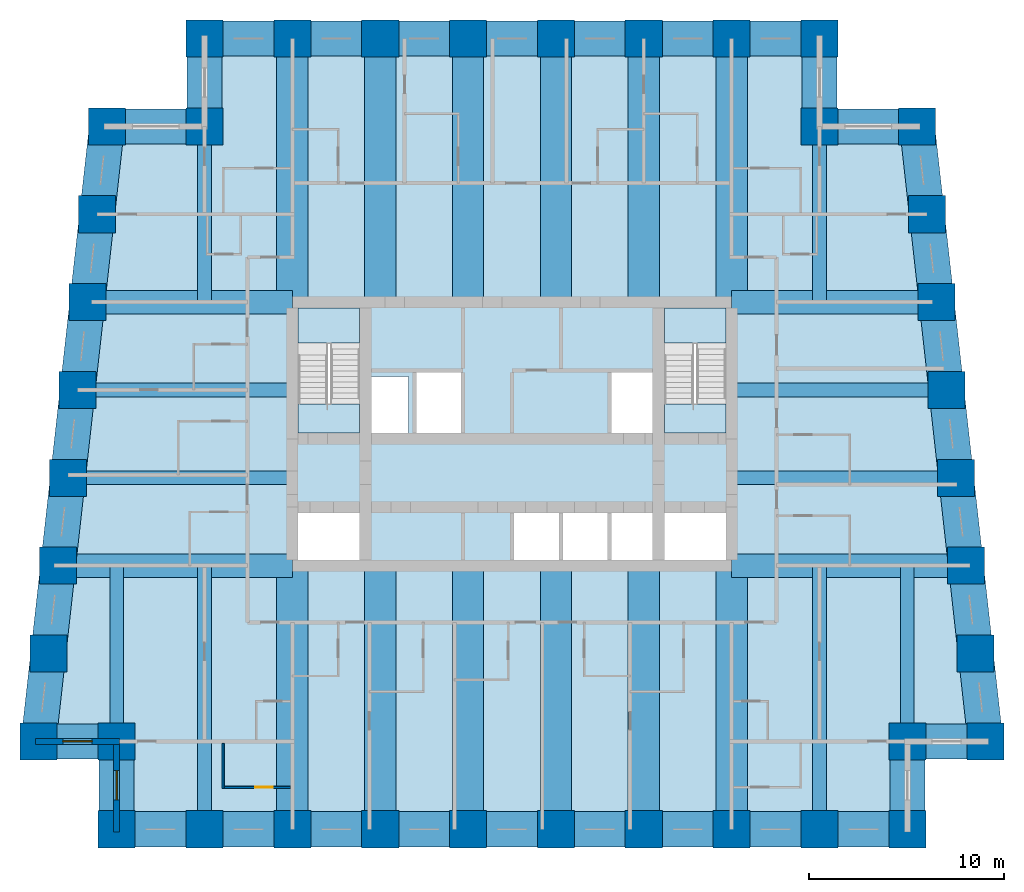
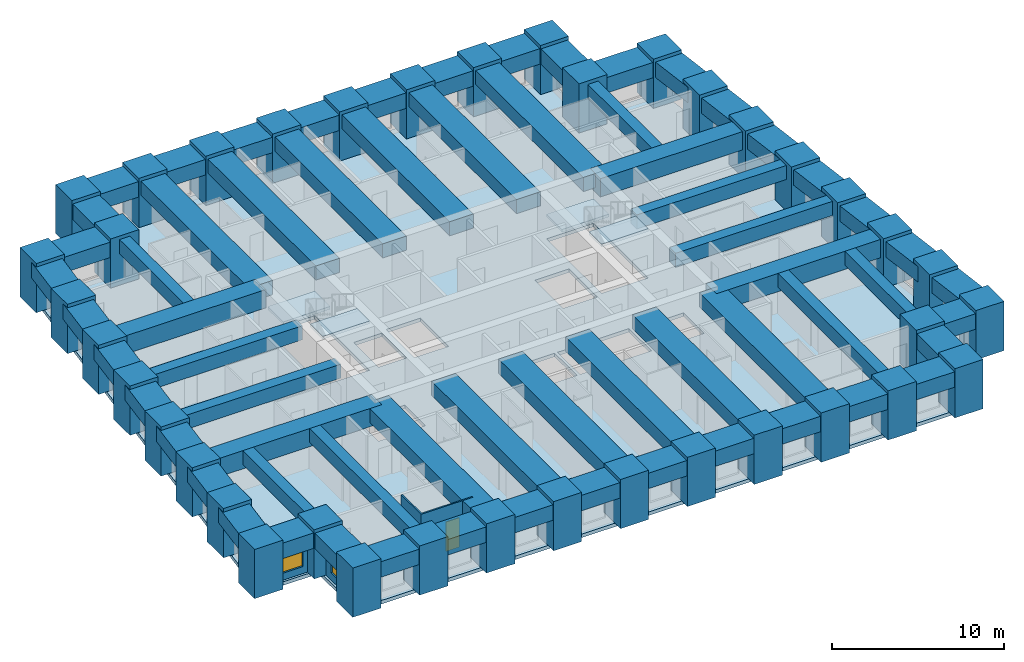
# One storey, part 1 of 8: 64 beams, 38 columns, 5 slabs, 4 walls, 2 windows, 1 door, 3 openings, 2 elements without a shape of their own.
"""IFC4 building model written with IfcOpenShell, lengths in metres."""

from ifc_helpers import new_model, si_unit, direction, frame, frame_2d, origin, origin_2d, place, context, subcontext, project, spatial, polyline, rectangle, outline, extrude, material, layer, layer_set, material_profile, profile_set, type_object, element, fill, aggregate, save


model = new_model("IFC4")

# Units and contexts
model_context = context("Model", 3, precision=1e-05, world=origin(), true_north=direction((0.0, 1.0)))
body_context = subcontext(model_context, "Body", "Model", "MODEL_VIEW")
ifc_project = project(units=[si_unit("LENGTHUNIT", "METRE"), si_unit("AREAUNIT", "SQUARE_METRE"), si_unit("VOLUMEUNIT", "CUBIC_METRE"), si_unit("PLANEANGLEUNIT", "RADIAN"), si_unit("MASSUNIT", "GRAM", prefix="KILO")], contexts=[model_context])

# Site, building, storey
site_placement = place(None, origin())
site = spatial("IfcSite", under=ifc_project, at=site_placement, CompositionType="ELEMENT")
building_placement = place(site_placement, origin())
building = spatial("IfcBuilding", under=site, at=building_placement, Name="Kilele Tower Hotel", CompositionType="ELEMENT")
storey_placement = place(building_placement, frame((0.0, 0.0, 117.89990234375)))
storey = spatial("IfcBuildingStorey", under=building, at=storey_placement, Name="L30", CompositionType="ELEMENT", Elevation=117.89990234375)

# Columns
ifc_material_1 = material(Name="Concrete C70/85", Category="concrete")
ifc_material_profile_1 = material_profile(ifc_material_1, rectangle(XDim=1.89990234375, YDim=1.89990234375, at=origin_2d()))
ifc_profile_set_1 = profile_set([ifc_material_profile_1], Name="Concrete C70/85")
column_type = type_object("IfcColumnType", Name="Tube column RC 1900x1900 C70/85", PredefinedType="COLUMN", material=ifc_profile_set_1)
for number, where, z_axis, x_axis, name in (
    (1, (0.5, 4.5, 0.0), (0.0, 0.0, 1.0), (1.0, 0.0, 0.0), "Column TC2 L30"),
    (2, (4.5, 4.5, 0.0), (0.0, 0.0, 1.0), (1.0, 0.0, 0.0), "Column TC2 L30"),
    (3, (4.5, 0.0, 0.0), (0.0, 0.0, 1.0), (1.0, 0.0, 0.0), "Column TC2 L30"),
    (4, (9.0, 0.0, 0.0), (0.0, 0.0, 1.0), (1.0, 0.0, 0.0), "Column TC2 L30"),
    (5, (13.5, 0.0, 0.0), (0.0, 0.0, 1.0), (1.0, 0.0, 0.0), "Column TC2 L30"),
    (6, (18.0, 0.0, 0.0), (0.0, 0.0, 1.0), (1.0, 0.0, 0.0), "Column TC2 L30"),
    (7, (22.5, 0.0, 0.0), (0.0, 0.0, 1.0), (1.0, 0.0, 0.0), "Column TC2 L30"),
    (8, (27.0, 0.0, 0.0), (0.0, 0.0, 1.0), (1.0, 0.0, 0.0), "Column TC2 L30"),
    (9, (31.5, 0.0, 0.0), (0.0, 0.0, 1.0), (1.0, 0.0, 0.0), "Column TC2 L30"),
    (10, (36.0, 0.0, 0.0), (0.0, 0.0, 1.0), (1.0, 0.0, 0.0), "Column TC2 L30"),
    (11, (40.5, 0.0, 0.0), (0.0, 0.0, 1.0), (1.0, 0.0, 0.0), "Column TC2 L30"),
    (12, (45.0, 0.0, 0.0), (0.0, 0.0, 1.0), (1.0, 0.0, 0.0), "Column TC2 L30"),
    (13, (45.0, 4.5, 0.0), (0.0, 0.0, 1.0), (1.0, 0.0, 0.0), "Column TC2 L30"),
    (14, (49.0, 4.5, 0.0), (0.0, 0.0, 1.0), (1.0, 0.0, 0.0), "Column TC2 L30"),
    (15, (48.5, 9.0, 0.0), (0.0, 0.0, 1.0), (1.0, 0.0, 0.0), "Column TC2 L30"),
    (16, (48.0, 13.5, 0.0), (0.0, 0.0, 1.0), (1.0, 0.0, 0.0), "Column TC2 L30"),
    (17, (47.5, 18.0, 0.0), (0.0, 0.0, 1.0), (1.0, 0.0, 0.0), "Column TC2 L30"),
    (18, (47.0, 22.5, 0.0), (0.0, 0.0, 1.0), (1.0, 0.0, 0.0), "Column TC2 L30"),
    (19, (46.5, 27.0, 0.0), (0.0, 0.0, 1.0), (1.0, 0.0, 0.0), "Column TC2 L30"),
    (20, (46.0, 31.5, 0.0), (0.0, 0.0, 1.0), (1.0, 0.0, 0.0), "Column TC2 L30"),
    (21, (45.5, 36.0, 0.0), (0.0, 0.0, 1.0), (1.0, 0.0, 0.0), "Column TC2 L30"),
    (22, (40.5, 36.0, 0.0), (0.0, 0.0, 1.0), (1.0, 0.0, 0.0), "Column TC2 L30"),
    (23, (40.5, 40.5, 0.0), (0.0, 0.0, 1.0), (1.0, 0.0, 0.0), "Column TC2 L30"),
    (24, (36.0, 40.5, 0.0), (0.0, 0.0, 1.0), (1.0, 0.0, 0.0), "Column TC2 L30"),
    (25, (31.5, 40.5, 0.0), (0.0, 0.0, 1.0), (1.0, 0.0, 0.0), "Column TC2 L30"),
    (26, (27.0, 40.5, 0.0), (0.0, 0.0, 1.0), (1.0, 0.0, 0.0), "Column TC2 L30"),
    (27, (22.5, 40.5, 0.0), (0.0, 0.0, 1.0), (1.0, 0.0, 0.0), "Column TC2 L30"),
    (28, (18.0, 40.5, 0.0), (0.0, 0.0, 1.0), (1.0, 0.0, 0.0), "Column TC2 L30"),
    (29, (13.5, 40.5, 0.0), (0.0, 0.0, 1.0), (1.0, 0.0, 0.0), "Column TC2 L30"),
    (30, (9.0, 40.5, 0.0), (0.0, 0.0, 1.0), (1.0, 0.0, 0.0), "Column TC2 L30"),
    (31, (9.0, 36.0, 0.0), (0.0, 0.0, 1.0), (1.0, 0.0, 0.0), "Column TC2 L30"),
    (32, (4.0, 36.0, 0.0), (0.0, 0.0, 1.0), (1.0, 0.0, 0.0), "Column TC2 L30"),
    (33, (3.5, 31.5, 0.0), (0.0, 0.0, 1.0), (1.0, 0.0, 0.0), "Column TC2 L30"),
    (34, (3.0, 27.0, 0.0), (0.0, 0.0, 1.0), (1.0, 0.0, 0.0), "Column TC2 L30"),
    (35, (2.5, 22.5, 0.0), (0.0, 0.0, 1.0), (1.0, 0.0, 0.0), "Column TC2 L30"),
    (36, (2.0, 18.0, 0.0), (0.0, 0.0, 1.0), (1.0, 0.0, 0.0), "Column TC2 L30"),
    (37, (1.5, 13.5, 0.0), (0.0, 0.0, 1.0), (1.0, 0.0, 0.0), "Column TC2 L30"),
    (38, (1.0, 9.0, 0.0), (0.0, 0.0, 1.0), (1.0, 0.0, 0.0), "Column TC2 L30"),
):
    element("IfcColumn", number, at=place(storey_placement, frame(where, z_axis=z_axis, x_axis=x_axis)), inside=storey, type_object=column_type, Name=name, PredefinedType="COLUMN", context=body_context, shape_type="SweptSolid", body=[
        extrude(rectangle(XDim=1.89990234375, YDim=1.89990234375, at=origin_2d()), origin(), (0.0, 0.0, 1.0), 3.5),
    ])

# Beams
ifc_material_2 = material(Name="Concrete C60/75", Category="concrete")
ifc_material_profile_2 = material_profile(ifc_material_2, rectangle(XDim=1.60009765625, YDim=1.0, at=origin_2d()))
ifc_profile_set_2 = profile_set([ifc_material_profile_2], Name="Concrete C60/75")
beam_type_1 = type_object("IfcBeamType", Name="Beam RC 1600x1000 C60/75", PredefinedType="BEAM", material=ifc_profile_set_2)
for number, where, z_axis, x_axis, name in (
    (39, (13.5, 0.0, 2.75), (0.0, 1.0, 0.0), (-1.0, 0.0, 0.0), "Beam BC1 level L31"),
    (40, (18.0, 0.0, 2.75), (0.0, 1.0, 0.0), (-1.0, 0.0, 0.0), "Beam BC1 level L31"),
    (41, (22.5, 0.0, 2.75), (0.0, 1.0, 0.0), (-1.0, 0.0, 0.0), "Beam BC1 level L31"),
    (42, (27.0, 0.0, 2.75), (0.0, 1.0, 0.0), (-1.0, 0.0, 0.0), "Beam BC1 level L31"),
    (43, (31.5, 0.0, 2.75), (0.0, 1.0, 0.0), (-1.0, 0.0, 0.0), "Beam BC1 level L31"),
    (44, (36.0, 0.0, 2.75), (0.0, 1.0, 0.0), (-1.0, 0.0, 0.0), "Beam BC1 level L31"),
    (45, (36.0, 40.5, 2.75), (0.0, -1.0, 0.0), (1.0, 0.0, 0.0), "Beam BC1 level L31"),
    (46, (31.5, 40.5, 2.75), (0.0, -1.0, 0.0), (1.0, 0.0, 0.0), "Beam BC1 level L31"),
    (47, (27.0, 40.5, 2.75), (0.0, -1.0, 0.0), (1.0, 0.0, 0.0), "Beam BC1 level L31"),
    (48, (22.5, 40.5, 2.75), (0.0, -1.0, 0.0), (1.0, 0.0, 0.0), "Beam BC1 level L31"),
    (49, (18.0, 40.5, 2.75), (0.0, -1.0, 0.0), (1.0, 0.0, 0.0), "Beam BC1 level L31"),
    (50, (13.5, 40.5, 2.75), (0.0, -1.0, 0.0), (1.0, 0.0, 0.0), "Beam BC1 level L31"),
):
    element("IfcBeam", number, at=place(storey_placement, frame(where, z_axis=z_axis, x_axis=x_axis)), inside=storey, type_object=beam_type_1, Name=name, PredefinedType="BEAM", context=body_context, shape_type="SweptSolid", body=[
        extrude(rectangle(XDim=1.60009765625, YDim=1.0, at=origin_2d()), origin(), (0.0, 0.0, 1.0), 13.5),
    ])
ifc_material_3 = material(Name="Concrete C60/75", Category="concrete")
ifc_material_profile_3 = material_profile(ifc_material_3, rectangle(XDim=0.699951171875, YDim=1.0, at=origin_2d()))
ifc_profile_set_3 = profile_set([ifc_material_profile_3], Name="Concrete C60/75")
beam_type_2 = type_object("IfcBeamType", Name="Beam RC 700x1000 C60/75", PredefinedType="BEAM", material=ifc_profile_set_3)
for number, where, z_axis, x_axis, name in (
    (51, (9.0, 0.0, 2.75), (0.0, 1.0, 0.0), (-1.0, 0.0, 0.0), "Beam B4 level L31"),
    (52, (40.5, 0.0, 2.75), (0.0, 1.0, 0.0), (-1.0, 0.0, 0.0), "Beam B4 level L31"),
):
    element("IfcBeam", number, at=place(storey_placement, frame(where, z_axis=z_axis, x_axis=x_axis)), inside=storey, type_object=beam_type_2, Name=name, PredefinedType="BEAM", context=body_context, shape_type="SweptSolid", body=[
        extrude(rectangle(XDim=0.699951171875, YDim=1.0, at=origin_2d()), origin(), (0.0, 0.0, 1.0), 13.5),
    ])
ifc_material_4 = material(Name="Concrete C60/75", Category="concrete")
ifc_material_profile_4 = material_profile(ifc_material_4, rectangle(XDim=0.699951171875, YDim=1.0, at=origin_2d()))
ifc_profile_set_4 = profile_set([ifc_material_profile_4], Name="Concrete C60/75")
beam_type_3 = type_object("IfcBeamType", Name="Beam RC 700x1000 C60/75 mid span", PredefinedType="BEAM", material=ifc_profile_set_4)
for number, where, z_axis, x_axis, name in (
    (53, (4.5, 4.5, 2.75), (0.0, 1.0, 0.0), (-1.0, 0.0, 0.0), "Beam B5 level L31"),
    (54, (45.0, 4.5, 2.75), (0.0, 1.0, 0.0), (-1.0, 0.0, 0.0), "Beam B5 level L31"),
):
    element("IfcBeam", number, at=place(storey_placement, frame(where, z_axis=z_axis, x_axis=x_axis)), inside=storey, type_object=beam_type_3, Name=name, PredefinedType="BEAM", context=body_context, shape_type="SweptSolid", body=[
        extrude(rectangle(XDim=0.699951171875, YDim=1.0, at=origin_2d()), origin(), (0.0, 0.0, 1.0), 9.0),
    ])
beam_1_placement = place(storey_placement, frame((47.5, 18.0, 2.75), z_axis=(-1.0, 0.0, 0.0), x_axis=(0.0, -1.0, 0.0)))
element("IfcBeam", 55, at=beam_1_placement, inside=storey, type_object=beam_type_3, Name="Beam B5 level L31", PredefinedType="BEAM", context=body_context, shape_type="SweptSolid", body=[
    extrude(rectangle(XDim=0.699951171875, YDim=1.0, at=origin_2d()), origin(), (0.0, 0.0, 1.0), 11.5),
])
beam_2_placement = place(storey_placement, frame((47.0, 22.5, 2.75), z_axis=(-1.0, 0.0, 0.0), x_axis=(0.0, -1.0, 0.0)))
element("IfcBeam", 56, at=beam_2_placement, inside=storey, type_object=beam_type_3, Name="Beam B5 level L31", PredefinedType="BEAM", context=body_context, shape_type="SweptSolid", body=[
    extrude(rectangle(XDim=0.699951171875, YDim=1.0, at=origin_2d()), origin(), (0.0, 0.0, 1.0), 11.0),
])
for number, where, z_axis, x_axis, name in (
    (57, (40.5, 36.0, 2.75), (0.0, -1.0, 0.0), (1.0, 0.0, 0.0), "Beam B5 level L31"),
    (58, (9.0, 36.0, 2.75), (0.0, -1.0, 0.0), (1.0, 0.0, 0.0), "Beam B5 level L31"),
):
    element("IfcBeam", number, at=place(storey_placement, frame(where, z_axis=z_axis, x_axis=x_axis)), inside=storey, type_object=beam_type_3, Name=name, PredefinedType="BEAM", context=body_context, shape_type="SweptSolid", body=[
        extrude(rectangle(XDim=0.699951171875, YDim=1.0, at=origin_2d()), origin(), (0.0, 0.0, 1.0), 9.0),
    ])
beam_3_placement = place(storey_placement, frame((2.5, 22.5, 2.75), z_axis=(1.0, 0.0, 0.0), x_axis=(0.0, 1.0, 0.0)))
element("IfcBeam", 59, at=beam_3_placement, inside=storey, type_object=beam_type_3, Name="Beam B5 level L31", PredefinedType="BEAM", context=body_context, shape_type="SweptSolid", body=[
    extrude(rectangle(XDim=0.699951171875, YDim=1.0, at=origin_2d()), origin(), (0.0, 0.0, 1.0), 11.0),
])
beam_4_placement = place(storey_placement, frame((2.0, 18.0, 2.75), z_axis=(1.0, 0.0, 0.0), x_axis=(0.0, 1.0, 0.0)))
element("IfcBeam", 60, at=beam_4_placement, inside=storey, type_object=beam_type_3, Name="Beam B5 level L31", PredefinedType="BEAM", context=body_context, shape_type="SweptSolid", body=[
    extrude(rectangle(XDim=0.699951171875, YDim=1.0, at=origin_2d()), origin(), (0.0, 0.0, 1.0), 11.5),
])
ifc_material_5 = material(Name="Concrete C60/75", Category="concrete")
ifc_material_profile_5 = material_profile(ifc_material_5, rectangle(XDim=1.199951171875, YDim=1.300048828125, at=origin_2d()))
ifc_profile_set_5 = profile_set([ifc_material_profile_5], Name="Concrete C60/75")
beam_type_4 = type_object("IfcBeamType", Name="Girder RC 1200x1300 C60/75", PredefinedType="BEAM", material=ifc_profile_set_5)
for number, where, z_axis, x_axis, name in (
    (61, (48.0, 13.5, 2.60009765625), (-1.0, 0.0, 0.0), (0.0, -1.0, 0.0), "Girder G1 level L31"),
    (62, (1.5, 13.5, 2.60009765625), (1.0, 0.0, 0.0), (0.0, 1.0, 0.0), "Girder G1 level L31"),
):
    element("IfcBeam", number, at=place(storey_placement, frame(where, z_axis=z_axis, x_axis=x_axis)), inside=storey, type_object=beam_type_4, Name=name, PredefinedType="BEAM", context=body_context, shape_type="SweptSolid", body=[
        extrude(rectangle(XDim=1.199951171875, YDim=1.300048828125, at=origin_2d()), origin(), (0.0, 0.0, 1.0), 12.0),
    ])
ifc_material_6 = material(Name="Concrete C60/75", Category="concrete")
ifc_material_profile_6 = material_profile(ifc_material_6, rectangle(XDim=1.199951171875, YDim=1.300048828125, at=origin_2d()))
ifc_profile_set_6 = profile_set([ifc_material_profile_6], Name="Concrete C60/75")
beam_type_5 = type_object("IfcBeamType", Name="Girder RC 1200x1300 C60/75 mid span", PredefinedType="BEAM", material=ifc_profile_set_6)
for number, where, z_axis, x_axis, name in (
    (63, (46.5, 27.0, 2.60009765625), (-1.0, 0.0, 0.0), (0.0, -1.0, 0.0), "Girder G3 level L31"),
    (64, (3.0, 27.0, 2.60009765625), (1.0, 0.0, 0.0), (0.0, 1.0, 0.0), "Girder G3 level L31"),
):
    element("IfcBeam", number, at=place(storey_placement, frame(where, z_axis=z_axis, x_axis=x_axis)), inside=storey, type_object=beam_type_5, Name=name, PredefinedType="BEAM", context=body_context, shape_type="SweptSolid", body=[
        extrude(rectangle(XDim=1.199951171875, YDim=1.300048828125, at=origin_2d()), origin(), (0.0, 0.0, 1.0), 10.5),
    ])
ifc_material_7 = material(Name="Concrete C60/75", Category="concrete")
ifc_material_profile_7 = material_profile(ifc_material_7, rectangle(XDim=1.800048828125, YDim=1.10009765625, at=origin_2d()))
ifc_profile_set_7 = profile_set([ifc_material_profile_7], Name="Concrete C60/75")
beam_type_6 = type_object("IfcBeamType", Name="Spandrel RC 1800x1100 C60/75", PredefinedType="SPANDREL", material=ifc_profile_set_7)
beam_5_placement = place(storey_placement, frame((0.5, 4.5, 2.7001953125), z_axis=(1.0, 0.0, 0.0), x_axis=(0.0, 1.0, 0.0)))
element("IfcBeam", 65, at=beam_5_placement, inside=storey, type_object=beam_type_6, Name="Spandrel SP4 level L31", PredefinedType="SPANDREL", context=body_context, shape_type="SweptSolid", body=[
    extrude(rectangle(XDim=1.800048828125, YDim=1.10009765625, at=origin_2d()), origin(), (0.0, 0.0, 1.0), 4.0),
])
for number, where, z_axis, x_axis, name in (
    (66, (4.5, 4.5, 2.7001953125), (0.0, -1.0, 0.0), (1.0, 0.0, 0.0), "Spandrel SP4 level L31"),
    (67, (4.5, 0.0, 2.7001953125), (1.0, 0.0, 0.0), (0.0, 1.0, 0.0), "Spandrel SP4 level L31"),
    (68, (9.0, 0.0, 2.7001953125), (1.0, 0.0, 0.0), (0.0, 1.0, 0.0), "Spandrel SP4 level L31"),
    (69, (13.5, 0.0, 2.7001953125), (1.0, 0.0, 0.0), (0.0, 1.0, 0.0), "Spandrel SP4 level L31"),
    (70, (18.0, 0.0, 2.7001953125), (1.0, 0.0, 0.0), (0.0, 1.0, 0.0), "Spandrel SP4 level L31"),
    (71, (22.5, 0.0, 2.7001953125), (1.0, 0.0, 0.0), (0.0, 1.0, 0.0), "Spandrel SP4 level L31"),
    (72, (27.0, 0.0, 2.7001953125), (1.0, 0.0, 0.0), (0.0, 1.0, 0.0), "Spandrel SP4 level L31"),
    (73, (31.5, 0.0, 2.7001953125), (1.0, 0.0, 0.0), (0.0, 1.0, 0.0), "Spandrel SP4 level L31"),
    (74, (36.0, 0.0, 2.7001953125), (1.0, 0.0, 0.0), (0.0, 1.0, 0.0), "Spandrel SP4 level L31"),
    (75, (40.5, 0.0, 2.7001953125), (1.0, 0.0, 0.0), (0.0, 1.0, 0.0), "Spandrel SP4 level L31"),
    (76, (45.0, 0.0, 2.7001953125), (0.0, 1.0, 0.0), (-1.0, 0.0, 0.0), "Spandrel SP4 level L31"),
):
    element("IfcBeam", number, at=place(storey_placement, frame(where, z_axis=z_axis, x_axis=x_axis)), inside=storey, type_object=beam_type_6, Name=name, PredefinedType="SPANDREL", context=body_context, shape_type="SweptSolid", body=[
        extrude(rectangle(XDim=1.800048828125, YDim=1.10009765625, at=origin_2d()), origin(), (0.0, 0.0, 1.0), 4.5),
    ])
beam_6_placement = place(storey_placement, frame((45.0, 4.5, 2.7001953125), z_axis=(1.0, 0.0, 0.0), x_axis=(0.0, 1.0, 0.0)))
element("IfcBeam", 77, at=beam_6_placement, inside=storey, type_object=beam_type_6, Name="Spandrel SP4 level L31", PredefinedType="SPANDREL", context=body_context, shape_type="SweptSolid", body=[
    extrude(rectangle(XDim=1.800048828125, YDim=1.10009765625, at=origin_2d()), origin(), (0.0, 0.0, 1.0), 4.0),
])
for number, where, z_axis, x_axis, name in (
    (78, (49.0, 4.5, 2.7001953125), (-0.110431526075, 0.993883734674, 0.0), (-0.993883734674, -0.110431526075, 0.0), "Spandrel SP4 level L31"),
    (79, (48.5, 9.0, 2.7001953125), (-0.110431526075, 0.993883734674, 0.0), (-0.993883734674, -0.110431526075, 0.0), "Spandrel SP4 level L31"),
    (80, (48.0, 13.5, 2.7001953125), (-0.110431526075, 0.993883734674, 0.0), (-0.993883734674, -0.110431526075, 0.0), "Spandrel SP4 level L31"),
    (81, (47.5, 18.0, 2.7001953125), (-0.110431526075, 0.993883734674, 0.0), (-0.993883734674, -0.110431526075, 0.0), "Spandrel SP4 level L31"),
    (82, (47.0, 22.5, 2.7001953125), (-0.110431526075, 0.993883734674, 0.0), (-0.993883734674, -0.110431526075, 0.0), "Spandrel SP4 level L31"),
    (83, (46.5, 27.0, 2.7001953125), (-0.110431526075, 0.993883734674, 0.0), (-0.993883734674, -0.110431526075, 0.0), "Spandrel SP4 level L31"),
    (84, (46.0, 31.5, 2.7001953125), (-0.110431526075, 0.993883734674, 0.0), (-0.993883734674, -0.110431526075, 0.0), "Spandrel SP4 level L31"),
):
    element("IfcBeam", number, at=place(storey_placement, frame(where, z_axis=z_axis, x_axis=x_axis)), inside=storey, type_object=beam_type_6, Name=name, PredefinedType="SPANDREL", context=body_context, shape_type="SweptSolid", body=[
        extrude(rectangle(XDim=1.800048828125, YDim=1.10009765625, at=origin_2d()), origin(), (0.0, 0.0, 1.0), 4.527587890625),
    ])
beam_7_placement = place(storey_placement, frame((45.5, 36.0, 2.7001953125), z_axis=(-1.0, 0.0, 0.0), x_axis=(0.0, -1.0, 0.0)))
element("IfcBeam", 85, at=beam_7_placement, inside=storey, type_object=beam_type_6, Name="Spandrel SP4 level L31", PredefinedType="SPANDREL", context=body_context, shape_type="SweptSolid", body=[
    extrude(rectangle(XDim=1.800048828125, YDim=1.10009765625, at=origin_2d()), origin(), (0.0, 0.0, 1.0), 5.0),
])
for number, where, z_axis, x_axis, name in (
    (86, (40.5, 36.0, 2.7001953125), (0.0, 1.0, 0.0), (-1.0, 0.0, 0.0), "Spandrel SP4 level L31"),
    (87, (40.5, 40.5, 2.7001953125), (-1.0, 0.0, 0.0), (0.0, -1.0, 0.0), "Spandrel SP4 level L31"),
    (88, (36.0, 40.5, 2.7001953125), (-1.0, 0.0, 0.0), (0.0, -1.0, 0.0), "Spandrel SP4 level L31"),
    (89, (31.5, 40.5, 2.7001953125), (-1.0, 0.0, 0.0), (0.0, -1.0, 0.0), "Spandrel SP4 level L31"),
    (90, (27.0, 40.5, 2.7001953125), (-1.0, 0.0, 0.0), (0.0, -1.0, 0.0), "Spandrel SP4 level L31"),
    (91, (22.5, 40.5, 2.7001953125), (-1.0, 0.0, 0.0), (0.0, -1.0, 0.0), "Spandrel SP4 level L31"),
    (92, (18.0, 40.5, 2.7001953125), (-1.0, 0.0, 0.0), (0.0, -1.0, 0.0), "Spandrel SP4 level L31"),
    (93, (13.5, 40.5, 2.7001953125), (-1.0, 0.0, 0.0), (0.0, -1.0, 0.0), "Spandrel SP4 level L31"),
    (94, (9.0, 40.5, 2.7001953125), (0.0, -1.0, 0.0), (1.0, 0.0, 0.0), "Spandrel SP4 level L31"),
):
    element("IfcBeam", number, at=place(storey_placement, frame(where, z_axis=z_axis, x_axis=x_axis)), inside=storey, type_object=beam_type_6, Name=name, PredefinedType="SPANDREL", context=body_context, shape_type="SweptSolid", body=[
        extrude(rectangle(XDim=1.800048828125, YDim=1.10009765625, at=origin_2d()), origin(), (0.0, 0.0, 1.0), 4.5),
    ])
beam_8_placement = place(storey_placement, frame((9.0, 36.0, 2.7001953125), z_axis=(-1.0, 0.0, 0.0), x_axis=(0.0, -1.0, 0.0)))
element("IfcBeam", 95, at=beam_8_placement, inside=storey, type_object=beam_type_6, Name="Spandrel SP4 level L31", PredefinedType="SPANDREL", context=body_context, shape_type="SweptSolid", body=[
    extrude(rectangle(XDim=1.800048828125, YDim=1.10009765625, at=origin_2d()), origin(), (0.0, 0.0, 1.0), 5.0),
])
for number, where, z_axis, x_axis, name in (
    (96, (4.0, 36.0, 2.7001953125), (-0.110431526075, -0.993883734674, 0.0), (0.993883734674, -0.110431526075, 0.0), "Spandrel SP4 level L31"),
    (97, (3.5, 31.5, 2.7001953125), (-0.110431526075, -0.993883734674, 0.0), (0.993883734674, -0.110431526075, 0.0), "Spandrel SP4 level L31"),
    (98, (3.0, 27.0, 2.7001953125), (-0.110431526075, -0.993883734674, 0.0), (0.993883734674, -0.110431526075, 0.0), "Spandrel SP4 level L31"),
    (99, (2.5, 22.5, 2.7001953125), (-0.110431526075, -0.993883734674, 0.0), (0.993883734674, -0.110431526075, 0.0), "Spandrel SP4 level L31"),
    (100, (2.0, 18.0, 2.7001953125), (-0.110431526075, -0.993883734674, 0.0), (0.993883734674, -0.110431526075, 0.0), "Spandrel SP4 level L31"),
    (101, (1.5, 13.5, 2.7001953125), (-0.110431526075, -0.993883734674, 0.0), (0.993883734674, -0.110431526075, 0.0), "Spandrel SP4 level L31"),
    (102, (1.0, 9.0, 2.7001953125), (-0.110431526075, -0.993883734674, 0.0), (0.993883734674, -0.110431526075, 0.0), "Spandrel SP4 level L31"),
):
    element("IfcBeam", number, at=place(storey_placement, frame(where, z_axis=z_axis, x_axis=x_axis)), inside=storey, type_object=beam_type_6, Name=name, PredefinedType="SPANDREL", context=body_context, shape_type="SweptSolid", body=[
        extrude(rectangle(XDim=1.800048828125, YDim=1.10009765625, at=origin_2d()), origin(), (0.0, 0.0, 1.0), 4.527587890625),
    ])

# Slab
ifc_material_8 = material(Name="Concrete C60/75", Category="concrete")
ifc_layer_1 = layer(ifc_material_8, 0.25)
ifc_layer_set_1 = layer_set([ifc_layer_1], Name="Concrete C60/75")
slab_type_1 = type_object("IfcSlabType", Name="Floor slab 250", PredefinedType="FLOOR", material=ifc_layer_set_1)
slab_1_placement = place(storey_placement, frame((0.0, 0.0, -0.25)))
element("IfcSlab", 103, at=slab_1_placement, inside=storey, type_object=slab_type_1, Name="Floor slab L30", PredefinedType="FLOOR", context=body_context, shape_type="SweptSolid", body=[
    extrude(outline(polyline([(8.699951171875, 36.300048828125), (8.699951171875, 40.800048828125), (40.800048828125, 40.800048828125), (40.800048828125, 36.300048828125), (45.7685546875, 36.300048828125), (49.335205078125, 4.199951171875), (45.300048828125, 4.199951171875), (45.300048828125, -0.300048828125), (4.199951171875, -0.300048828125), (4.199951171875, 4.199951171875), (0.164794921875, 4.199951171875), (3.7314453125, 36.300048828125), (8.699951171875, 36.300048828125)]), holes=[polyline([(16.949951171875, 16.199951171875), (13.800048828125, 16.199951171875), (13.800048828125, 13.800048828125), (16.949951171875, 13.800048828125), (16.949951171875, 16.199951171875)]), polyline([(35.699951171875, 16.199951171875), (32.550048828125, 16.199951171875), (32.550048828125, 13.800048828125), (35.699951171875, 13.800048828125), (35.699951171875, 16.199951171875)]), polyline([(27.14990234375, 16.39990234375), (24.85009765625, 16.39990234375), (24.85009765625, 13.800048828125), (27.14990234375, 13.800048828125), (27.14990234375, 16.39990234375)]), polyline([(29.64990234375, 13.800048828125), (29.64990234375, 16.39990234375), (27.35009765625, 16.39990234375), (27.35009765625, 13.800048828125), (29.64990234375, 13.800048828125)]), polyline([(32.14990234375, 13.800048828125), (32.14990234375, 16.39990234375), (29.85009765625, 16.39990234375), (29.85009765625, 13.800048828125), (32.14990234375, 13.800048828125)]), polyline([(19.449951171875, 23.199951171875), (17.550048828125, 23.199951171875), (17.550048828125, 20.300048828125), (19.449951171875, 20.300048828125), (19.449951171875, 23.199951171875)]), polyline([(22.14990234375, 23.39990234375), (19.85009765625, 23.39990234375), (19.85009765625, 20.10009765625), (22.14990234375, 20.10009765625), (22.14990234375, 23.39990234375)]), polyline([(32.14990234375, 23.39990234375), (29.85009765625, 23.39990234375), (29.85009765625, 20.10009765625), (32.14990234375, 20.10009765625), (32.14990234375, 23.39990234375)]), polyline([(16.949951171875, 20.300048828125), (16.949951171875, 26.699951171875), (13.800048828125, 26.699951171875), (13.800048828125, 20.300048828125), (16.949951171875, 20.300048828125)]), polyline([(35.699951171875, 20.300048828125), (35.699951171875, 26.699951171875), (32.550048828125, 26.699951171875), (32.550048828125, 20.300048828125), (35.699951171875, 20.300048828125)])]), origin(), (0.0, 0.0, 1.0), 0.25),
])

# Stair, slabs
ifc_material_9 = material(Name="Precast concrete C40/50", Category="concrete")
stair_type = type_object("IfcStairType", Name="Stair 1475 x 3500", PredefinedType="HALF_TURN_STAIR", material=ifc_material_9)
stair_1_placement = place(storey_placement, origin())
stair_1 = element("IfcStair", 104, at=stair_1_placement, inside=storey, type_object=stair_type, Name="Stair 1 L30", PredefinedType="HALF_TURN_STAIR")
ifc_material_10 = material(Name="Precast concrete C40/50", Category="concrete")
ifc_layer_2 = layer(ifc_material_10, 0.199951171875)
ifc_layer_set_2 = layer_set([ifc_layer_2], Name="Precast concrete C40/50")
slab_type_2 = type_object("IfcSlabType", Name="Stair landing 200", PredefinedType="LANDING", material=ifc_layer_set_2)
slab_2_placement = place(storey_placement, frame((0.0, 0.0, 1.550048828125)))
slab_2 = element("IfcSlab", 105, at=slab_2_placement, type_object=slab_type_2, Name="ST1 landing 1", PredefinedType="LANDING", context=body_context, shape_type="SweptSolid", body=[
    extrude(outline(polyline([(13.800048828125, 24.89501953125), (16.949951171875, 24.89501953125), (16.949951171875, 26.699951171875), (13.800048828125, 26.699951171875), (13.800048828125, 24.89501953125)])), origin(), (0.0, 0.0, 1.0), 0.199951171875),
])
slab_3_placement = place(storey_placement, frame((0.0, 0.0, 3.300048828125)))
slab_3 = element("IfcSlab", 106, at=slab_3_placement, type_object=slab_type_2, Name="ST1 landing 2", PredefinedType="LANDING", context=body_context, shape_type="SweptSolid", body=[
    extrude(outline(polyline([(13.800048828125, 20.300048828125), (16.949951171875, 20.300048828125), (16.949951171875, 21.77490234375), (13.800048828125, 21.77490234375), (13.800048828125, 20.300048828125)])), origin(), (0.0, 0.0, 1.0), 0.199951171875),
])
aggregate(stair_1, [slab_2, slab_3])

stair_2_placement = place(storey_placement, origin())
stair_2 = element("IfcStair", 107, at=stair_2_placement, inside=storey, type_object=stair_type, Name="Stair 2 L30", PredefinedType="HALF_TURN_STAIR")
slab_4_placement = place(storey_placement, frame((0.0, 0.0, 1.550048828125)))
slab_4 = element("IfcSlab", 108, at=slab_4_placement, type_object=slab_type_2, Name="ST2 landing 1", PredefinedType="LANDING", context=body_context, shape_type="SweptSolid", body=[
    extrude(outline(polyline([(32.550048828125, 24.89501953125), (35.699951171875, 24.89501953125), (35.699951171875, 26.699951171875), (32.550048828125, 26.699951171875), (32.550048828125, 24.89501953125)])), origin(), (0.0, 0.0, 1.0), 0.199951171875),
])
slab_5_placement = place(storey_placement, frame((0.0, 0.0, 3.300048828125)))
slab_5 = element("IfcSlab", 109, at=slab_5_placement, type_object=slab_type_2, Name="ST2 landing 2", PredefinedType="LANDING", context=body_context, shape_type="SweptSolid", body=[
    extrude(outline(polyline([(32.550048828125, 20.300048828125), (35.699951171875, 20.300048828125), (35.699951171875, 21.77490234375), (32.550048828125, 21.77490234375), (32.550048828125, 20.300048828125)])), origin(), (0.0, 0.0, 1.0), 0.199951171875),
])
aggregate(stair_2, [slab_4, slab_5])

# Wall
ifc_material_11 = material(Name="Moisture-resistant board")
ifc_layer_3 = layer(ifc_material_11, 0.10009765625)
ifc_layer_set_3 = layer_set([ifc_layer_3], Name="Moisture-resistant board")
wall_type_1 = type_object("IfcWallType", Name="Bathroom partition 100", PredefinedType="PLUMBINGWALL", material=ifc_layer_set_3)
wall_1_placement = place(storey_placement, frame((9.949951171875, 4.39990234375, 0.0), z_axis=(0.0, 0.0, 1.0), x_axis=(0.0, -1.0, 0.0)))
element("IfcWall", 110, at=wall_1_placement, inside=storey, type_object=wall_type_1, Name="Bathroom partition 100 L30", PredefinedType="PLUMBINGWALL", context=body_context, shape_type="SweptSolid", body=[
    extrude(rectangle(XDim=2.2998046875, YDim=0.10009765625, at=frame_2d((1.14990234375, 0.0))), origin(), (0.0, 0.0, 1.0), 3.25),
])

# Wall, opening, door
wall_2_placement = place(storey_placement, frame((13.39990234375, 2.14990234375, 0.0), z_axis=(0.0, 0.0, 1.0), x_axis=(-1.0, 0.0, 0.0)))
wall_2 = element("IfcWall", 111, at=wall_2_placement, inside=storey, type_object=wall_type_1, Name="Bathroom partition 100 L30", PredefinedType="PLUMBINGWALL", context=body_context, shape_type="SweptSolid", body=[
    extrude(rectangle(XDim=3.5, YDim=0.10009765625, at=frame_2d((1.75, 0.0))), origin(), (0.0, 0.0, 1.0), 3.25),
])
opening_1_placement = place(wall_2_placement, frame((0.89990234375, 0.0, 0.0)))
opening_1 = element("IfcOpeningElement", 112, at=opening_1_placement, cuts=wall_2, Name="Opening D2A", PredefinedType="OPENING", context=body_context, shape_type="SweptSolid", body=[
    extrude(rectangle(XDim=0.89990234375, YDim=2.10009765625, at=frame_2d((0.449951171875, 1.050048828125))), frame((0.0, 0.06005859375, 0.0), z_axis=(0.0, -1.0, 0.0), x_axis=(1.0, 0.0, 0.0)), (0.0, 0.0, 1.0), 0.1201171875),
])
ifc_material_12 = material(Name="Timber door leaf in hardwood frame", Category="wood")
door_type = type_object("IfcDoorType", Name="Bathroom door 900", OperationType="SINGLE_SWING_LEFT", PredefinedType="DOOR", material=ifc_material_12)
door_placement = place(opening_1_placement, origin())
door = element("IfcDoor", 113, at=door_placement, inside=storey, type_object=door_type, Name="Bathroom door 3019B", OperationType="SINGLE_SWING_LEFT", OverallHeight=2.10009765625, OverallWidth=0.89990234375, PredefinedType="DOOR", context=body_context, shape_type="SweptSolid", body=[
    extrude(rectangle(XDim=0.89990234375, YDim=2.10009765625, at=frame_2d((0.449951171875, 1.050048828125))), frame((0.0, 0.02490234375, 0.0), z_axis=(0.0, -1.0, 0.0), x_axis=(1.0, 0.0, 0.0)), (0.0, 0.0, 1.0), 0.050048828125),
])
fill(opening_1, door)

# Wall, opening, window
ifc_material_13 = material(Name="Concrete C40/50 precast", Category="concrete")
ifc_layer_4 = layer(ifc_material_13, 0.260009765625, Name="Precast backing", Category="LoadBearing")
ifc_material_14 = material(Name="Reconstituted stone finish", Category="masonry")
ifc_layer_5 = layer(ifc_material_14, 0.0400390625, Name="Face mix", Category="Finish")
ifc_layer_set_4 = layer_set([ifc_layer_4, ifc_layer_5], Name="Precast concrete C40/50, reconstituted stone finish")
wall_type_2 = type_object("IfcWallType", Name="Precast stone facade wall 300", PredefinedType="STANDARD", material=ifc_layer_set_4)
wall_3_placement = place(storey_placement, frame((0.35009765625, 4.5, 0.0), z_axis=(0.0, 0.0, 1.0), x_axis=(1.0, 0.0, 0.0)))
wall_3 = element("IfcWall", 114, at=wall_3_placement, inside=storey, type_object=wall_type_2, Name="Facade wall L30 edge 1", PredefinedType="STANDARD", context=body_context, shape_type="SweptSolid", body=[
    extrude(rectangle(XDim=4.2998046875, YDim=0.300048828125, at=frame_2d((2.14990234375, 0.0))), origin(), (0.0, 0.0, 1.0), 2.150146484375),
])
opening_2_placement = place(wall_3_placement, frame((1.39990234375, 0.0, 0.5)))
opening_2 = element("IfcOpeningElement", 115, at=opening_2_placement, cuts=wall_3, Name="Opening W2", PredefinedType="OPENING", context=body_context, shape_type="SweptSolid", body=[
    extrude(rectangle(XDim=1.5, YDim=1.5, at=frame_2d((0.75, 0.75))), frame((0.0, 0.159912109375, 0.0), z_axis=(0.0, -1.0, 0.0), x_axis=(1.0, 0.0, 0.0)), (0.0, 0.0, 1.0), 0.320068359375),
])
ifc_material_15 = material(Name="Aluminium frame, clear double glazing", Category="aluminium")
window_type = type_object("IfcWindowType", Name="Window W2 1500 x 1500", PartitioningType="SINGLE_PANEL", PredefinedType="WINDOW", material=ifc_material_15)
window_1_placement = place(opening_2_placement, origin())
window_1 = element("IfcWindow", 116, at=window_1_placement, inside=storey, type_object=window_type, Name="Window L30", OverallHeight=1.5, OverallWidth=1.5, PartitioningType="SINGLE_PANEL", PredefinedType="WINDOW", context=body_context, shape_type="SweptSolid", body=[
    extrude(rectangle(XDim=1.5, YDim=1.5, at=frame_2d((0.75, 0.75))), frame((0.0, 0.030029296875, 0.0), z_axis=(0.0, -1.0, 0.0), x_axis=(1.0, 0.0, 0.0)), (0.0, 0.0, 1.0), 0.06005859375),
])
fill(opening_2, window_1)

wall_4_placement = place(storey_placement, frame((4.5, 4.64990234375, 0.0), z_axis=(0.0, 0.0, 1.0), x_axis=(0.0, -1.0, 0.0)))
wall_4 = element("IfcWall", 117, at=wall_4_placement, inside=storey, type_object=wall_type_2, Name="Facade wall L30 edge 2", PredefinedType="STANDARD", context=body_context, shape_type="SweptSolid", body=[
    extrude(rectangle(XDim=4.7998046875, YDim=0.300048828125, at=frame_2d((2.39990234375, 0.0))), origin(), (0.0, 0.0, 1.0), 2.150146484375),
])
opening_3_placement = place(wall_4_placement, frame((1.64990234375, 0.0, 0.5)))
opening_3 = element("IfcOpeningElement", 118, at=opening_3_placement, cuts=wall_4, Name="Opening W2", PredefinedType="OPENING", context=body_context, shape_type="SweptSolid", body=[
    extrude(rectangle(XDim=1.5, YDim=1.5, at=frame_2d((0.75, 0.75))), frame((0.0, 0.159912109375, 0.0), z_axis=(0.0, -1.0, 0.0), x_axis=(1.0, 0.0, 0.0)), (0.0, 0.0, 1.0), 0.320068359375),
])
window_2_placement = place(opening_3_placement, origin())
window_2 = element("IfcWindow", 119, at=window_2_placement, inside=storey, type_object=window_type, Name="Window L30", OverallHeight=1.5, OverallWidth=1.5, PartitioningType="SINGLE_PANEL", PredefinedType="WINDOW", context=body_context, shape_type="SweptSolid", body=[
    extrude(rectangle(XDim=1.5, YDim=1.5, at=frame_2d((0.75, 0.75))), frame((0.0, 0.030029296875, 0.0), z_axis=(0.0, -1.0, 0.0), x_axis=(1.0, 0.0, 0.0)), (0.0, 0.0, 1.0), 0.06005859375),
])
fill(opening_3, window_2)

save(model, "model.ifc")
